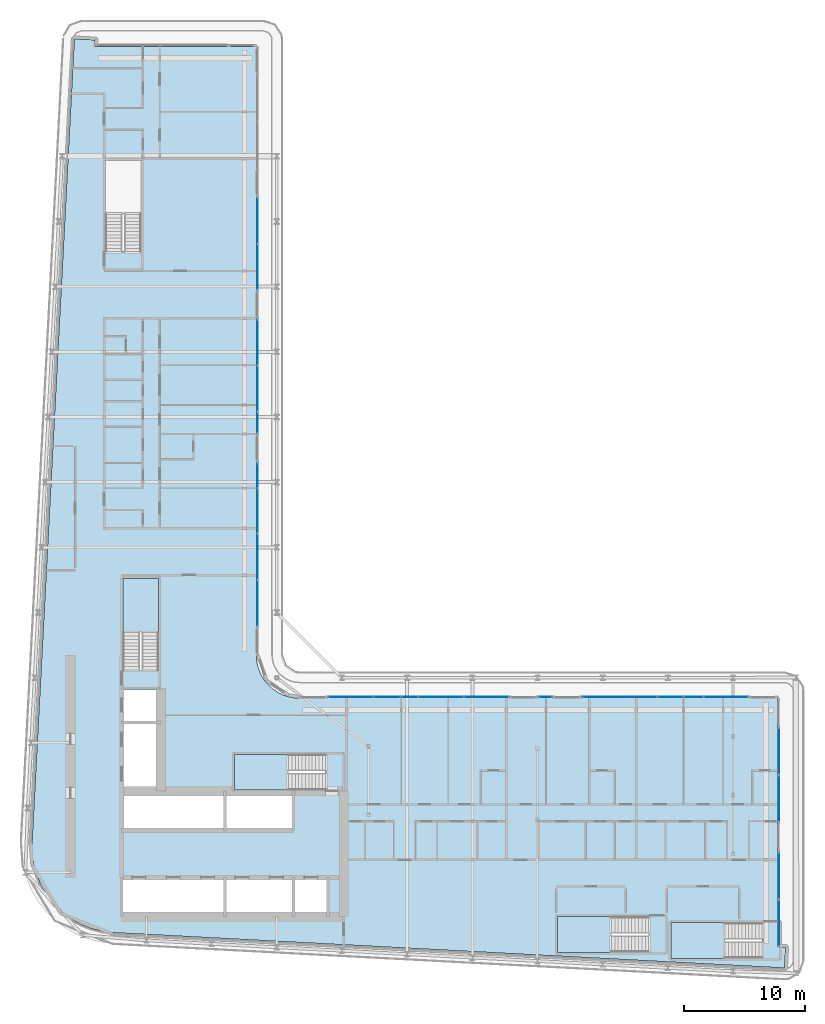
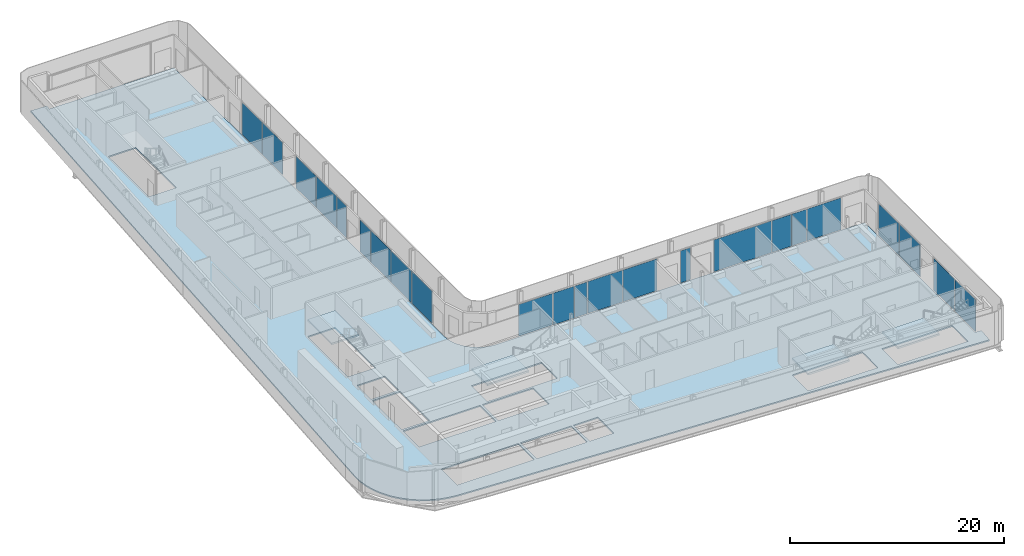
# One storey, part 9 of 24: 23 plates, 5 slabs, 16 elements without a shape of their own.
"""IFC4 building model written with IfcOpenShell, lengths in metres."""

from ifc_helpers import new_model, si_unit, direction, frame, origin, origin_2d, place, context, subcontext, project, spatial, polyline, rectangle, outline, extrude, material, layer, layer_set, type_object, element, aggregate, save


model = new_model("IFC4")

# Units and contexts
model_context = context("Model", 3, precision=1e-05, world=origin(), true_north=direction((0.0, 1.0)))
body_context = subcontext(model_context, "Body", "Model", "MODEL_VIEW")
ifc_project = project(units=[si_unit("LENGTHUNIT", "METRE"), si_unit("AREAUNIT", "SQUARE_METRE"), si_unit("VOLUMEUNIT", "CUBIC_METRE"), si_unit("PLANEANGLEUNIT", "RADIAN"), si_unit("MASSUNIT", "GRAM", prefix="KILO")], contexts=[model_context])

# Site, building, storey
site_placement = place(None, origin())
site = spatial("IfcSite", under=ifc_project, at=site_placement, CompositionType="ELEMENT")
building_placement = place(site_placement, origin())
building = spatial("IfcBuilding", under=site, at=building_placement, Name="Kheshtan School and Residences Tower", CompositionType="ELEMENT")
storey_placement = place(building_placement, frame((0.0, 0.0, 160.39990234375)))
storey = spatial("IfcBuildingStorey", under=building, at=storey_placement, Name="L37", CompositionType="ELEMENT", Elevation=160.39990234375)

# Curtain wall, plates
ifc_material_1 = material(Name="Clear low-e glass in thermally broken aluminium frame", Category="aluminium")
ifc_layer_1 = layer(ifc_material_1, 0.199951171875)
ifc_layer_set_1 = layer_set([ifc_layer_1], Name="Curtain wall CW-L")
curtain_wall_type = type_object("IfcCurtainWallType", Name="Curtain wall CW-L", PredefinedType="NOTDEFINED", material=ifc_layer_set_1)
curtain_wall_1_placement = place(storey_placement, origin())
curtain_wall_1 = element("IfcCurtainWall", 1, at=curtain_wall_1_placement, inside=storey, type_object=curtain_wall_type, Name="Curtain wall CWL8", PredefinedType="NOTDEFINED")
ifc_layer_2 = layer(ifc_material_1, 0.031982421875)
ifc_layer_set_2 = layer_set([ifc_layer_2], Name="CW-L glass panel")
plate_type = type_object("IfcPlateType", Name="CW-L glass panel", PredefinedType="CURTAIN_PANEL", material=ifc_layer_set_2)
plate_1_placement = place(storey_placement, frame((46.0, 83.467529296875, 0.000244140625), z_axis=(0.0, 0.0, 1.0), x_axis=(0.0, -1.0, 0.0)))
plate_1 = element("IfcPlate", 2, at=plate_1_placement, type_object=plate_type, Name="CWL8 panel 1.1", PredefinedType="CURTAIN_PANEL", context=body_context, shape_type="SweptSolid", body=[
    extrude(rectangle(XDim=3.757080078125, YDim=0.031982421875, at=origin_2d()), origin(), (0.0, 0.0, 1.0), 3.6298828125),
])
plate_2_placement = place(storey_placement, frame((46.0, 79.650390625, 0.000244140625), z_axis=(0.0, 0.0, 1.0), x_axis=(0.0, -1.0, 0.0)))
plate_2 = element("IfcPlate", 3, at=plate_2_placement, type_object=plate_type, Name="CWL8 panel 2.1", PredefinedType="CURTAIN_PANEL", context=body_context, shape_type="SweptSolid", body=[
    extrude(rectangle(XDim=3.757080078125, YDim=0.031982421875, at=origin_2d()), origin(), (0.0, 0.0, 1.0), 3.6298828125),
])
aggregate(curtain_wall_1, [plate_1, plate_2])

curtain_wall_2_placement = place(storey_placement, origin())
curtain_wall_2 = element("IfcCurtainWall", 4, at=curtain_wall_2_placement, inside=storey, type_object=curtain_wall_type, Name="Curtain wall CWL8", PredefinedType="NOTDEFINED")
plate_3_placement = place(storey_placement, frame((46.0, 73.37353515625, 0.000244140625), z_axis=(0.0, 0.0, 1.0), x_axis=(0.0, -1.0, 0.0)))
plate_3 = element("IfcPlate", 5, at=plate_3_placement, type_object=plate_type, Name="CWL8 panel 1.1", PredefinedType="CURTAIN_PANEL", context=body_context, shape_type="SweptSolid", body=[
    extrude(rectangle(XDim=3.757080078125, YDim=0.031982421875, at=origin_2d()), origin(), (0.0, 0.0, 1.0), 3.6298828125),
])
plate_4_placement = place(storey_placement, frame((46.0, 69.556396484375, 0.000244140625), z_axis=(0.0, 0.0, 1.0), x_axis=(0.0, -1.0, 0.0)))
plate_4 = element("IfcPlate", 6, at=plate_4_placement, type_object=plate_type, Name="CWL8 panel 2.1", PredefinedType="CURTAIN_PANEL", context=body_context, shape_type="SweptSolid", body=[
    extrude(rectangle(XDim=3.757080078125, YDim=0.031982421875, at=origin_2d()), origin(), (0.0, 0.0, 1.0), 3.6298828125),
])
aggregate(curtain_wall_2, [plate_3, plate_4])

# Curtain wall, plate
curtain_wall_3_placement = place(storey_placement, origin())
curtain_wall_3 = element("IfcCurtainWall", 7, at=curtain_wall_3_placement, inside=storey, type_object=curtain_wall_type, Name="Curtain wall CWL8e", PredefinedType="NOTDEFINED")
plate_5_placement = place(storey_placement, frame((46.0, 66.748046875, 0.000244140625), z_axis=(0.0, 0.0, 1.0), x_axis=(0.0, -1.0, 0.0)))
plate_5 = element("IfcPlate", 8, at=plate_5_placement, type_object=plate_type, Name="CWL8e panel 1.1", PredefinedType="CURTAIN_PANEL", context=body_context, shape_type="SweptSolid", body=[
    extrude(rectangle(XDim=1.739990234375, YDim=0.031982421875, at=origin_2d()), origin(), (0.0, 0.0, 1.0), 3.6298828125),
])
aggregate(curtain_wall_3, [plate_5])

# Curtain wall, plates
curtain_wall_4_placement = place(storey_placement, origin())
curtain_wall_4 = element("IfcCurtainWall", 9, at=curtain_wall_4_placement, inside=storey, type_object=curtain_wall_type, Name="Curtain wall CWL8m", PredefinedType="NOTDEFINED")
plate_6_placement = place(storey_placement, frame((46.0, 62.343994140625, 0.000244140625), z_axis=(0.0, 0.0, 1.0), x_axis=(0.0, -1.0, 0.0)))
plate_6 = element("IfcPlate", 10, at=plate_6_placement, type_object=plate_type, Name="CWL8m panel 1.1", PredefinedType="CURTAIN_PANEL", context=body_context, shape_type="SweptSolid", body=[
    extrude(rectangle(XDim=2.028076171875, YDim=0.031982421875, at=origin_2d()), origin(), (0.0, 0.0, 1.0), 3.6298828125),
])
plate_7_placement = place(storey_placement, frame((46.0, 59.427001953125, 0.000244140625), z_axis=(0.0, 0.0, 1.0), x_axis=(0.0, -1.0, 0.0)))
plate_7 = element("IfcPlate", 11, at=plate_7_placement, type_object=plate_type, Name="CWL8m panel 2.1", PredefinedType="CURTAIN_PANEL", context=body_context, shape_type="SweptSolid", body=[
    extrude(rectangle(XDim=3.68603515625, YDim=0.031982421875, at=origin_2d()), origin(), (0.0, 0.0, 1.0), 3.6298828125),
])
aggregate(curtain_wall_4, [plate_6, plate_7])

curtain_wall_5_placement = place(storey_placement, origin())
curtain_wall_5 = element("IfcCurtainWall", 12, at=curtain_wall_5_placement, inside=storey, type_object=curtain_wall_type, Name="Curtain wall CWL8", PredefinedType="NOTDEFINED")
plate_8_placement = place(storey_placement, frame((46.0, 55.615478515625, 0.000244140625), z_axis=(0.0, 0.0, 1.0), x_axis=(0.0, -1.0, 0.0)))
plate_8 = element("IfcPlate", 13, at=plate_8_placement, type_object=plate_type, Name="CWL8 panel 1.1", PredefinedType="CURTAIN_PANEL", context=body_context, shape_type="SweptSolid", body=[
    extrude(rectangle(XDim=3.81689453125, YDim=0.031982421875, at=origin_2d()), origin(), (0.0, 0.0, 1.0), 3.6298828125),
])
plate_9_placement = place(storey_placement, frame((46.0, 51.7685546875, 0.000244140625), z_axis=(0.0, 0.0, 1.0), x_axis=(0.0, -1.0, 0.0)))
plate_9 = element("IfcPlate", 14, at=plate_9_placement, type_object=plate_type, Name="CWL8 panel 2.1", PredefinedType="CURTAIN_PANEL", context=body_context, shape_type="SweptSolid", body=[
    extrude(rectangle(XDim=3.757080078125, YDim=0.031982421875, at=origin_2d()), origin(), (0.0, 0.0, 1.0), 3.6298828125),
])
aggregate(curtain_wall_5, [plate_8, plate_9])

curtain_wall_6_placement = place(storey_placement, origin())
curtain_wall_6 = element("IfcCurtainWall", 15, at=curtain_wall_6_placement, inside=storey, type_object=curtain_wall_type, Name="Curtain wall CWL12", PredefinedType="NOTDEFINED")
plate_10_placement = place(storey_placement, frame((53.724365234375, 44.0, 0.000244140625), z_axis=(0.0, 0.0, 1.0), x_axis=(1.0, 0.0, 0.0)))
plate_10 = element("IfcPlate", 16, at=plate_10_placement, type_object=plate_type, Name="CWL12 panel 1.1", PredefinedType="CURTAIN_PANEL", context=body_context, shape_type="SweptSolid", body=[
    extrude(rectangle(XDim=3.668701171875, YDim=0.031982421875, at=origin_2d()), origin(), (0.0, 0.0, 1.0), 3.6298828125),
])
plate_11_placement = place(storey_placement, frame((56.744384765625, 44.0, 0.000244140625), z_axis=(0.0, 0.0, 1.0), x_axis=(1.0, 0.0, 0.0)))
plate_11 = element("IfcPlate", 17, at=plate_11_placement, type_object=plate_type, Name="CWL12 panel 2.1", PredefinedType="CURTAIN_PANEL", context=body_context, shape_type="SweptSolid", body=[
    extrude(rectangle(XDim=2.251220703125, YDim=0.031982421875, at=origin_2d()), origin(), (0.0, 0.0, 1.0), 3.6298828125),
])
plate_12_placement = place(storey_placement, frame((58.608642578125, 44.0, 0.000244140625), z_axis=(0.0, 0.0, 1.0), x_axis=(1.0, 0.0, 0.0)))
plate_12 = element("IfcPlate", 18, at=plate_12_placement, type_object=plate_type, Name="CWL12 panel 3.1", PredefinedType="CURTAIN_PANEL", context=body_context, shape_type="SweptSolid", body=[
    extrude(rectangle(XDim=1.357421875, YDim=0.031982421875, at=origin_2d()), origin(), (0.0, 0.0, 1.0), 3.6298828125),
])
aggregate(curtain_wall_6, [plate_10, plate_11, plate_12])

curtain_wall_7_placement = place(storey_placement, origin())
curtain_wall_7 = element("IfcCurtainWall", 19, at=curtain_wall_7_placement, inside=storey, type_object=curtain_wall_type, Name="Curtain wall CWL12a", PredefinedType="NOTDEFINED")
plate_13_placement = place(storey_placement, frame((61.2119140625, 44.0, 0.000244140625), z_axis=(0.0, 0.0, 1.0), x_axis=(1.0, 0.0, 0.0)))
plate_13 = element("IfcPlate", 20, at=plate_13_placement, type_object=plate_type, Name="CWL12a panel 1.1", PredefinedType="CURTAIN_PANEL", context=body_context, shape_type="SweptSolid", body=[
    extrude(rectangle(XDim=3.728759765625, YDim=0.031982421875, at=origin_2d()), origin(), (0.0, 0.0, 1.0), 3.6298828125),
])
plate_14_placement = place(storey_placement, frame((64.970703125, 44.0, 0.000244140625), z_axis=(0.0, 0.0, 1.0), x_axis=(1.0, 0.0, 0.0)))
plate_14 = element("IfcPlate", 21, at=plate_14_placement, type_object=plate_type, Name="CWL12a panel 2.1", PredefinedType="CURTAIN_PANEL", context=body_context, shape_type="SweptSolid", body=[
    extrude(rectangle(XDim=3.668701171875, YDim=0.031982421875, at=origin_2d()), origin(), (0.0, 0.0, 1.0), 3.6298828125),
])
aggregate(curtain_wall_7, [plate_13, plate_14])

# Curtain wall, plate
curtain_wall_8_placement = place(storey_placement, origin())
curtain_wall_8 = element("IfcCurtainWall", 22, at=curtain_wall_8_placement, inside=storey, type_object=curtain_wall_type, Name="Curtain wall CWL12b", PredefinedType="NOTDEFINED")
plate_15_placement = place(storey_placement, frame((69.864990234375, 44.0, 0.000244140625), z_axis=(0.0, 0.0, 1.0), x_axis=(1.0, 0.0, 0.0)))
plate_15 = element("IfcPlate", 23, at=plate_15_placement, type_object=plate_type, Name="CWL12b panel 1.1", PredefinedType="CURTAIN_PANEL", context=body_context, shape_type="SweptSolid", body=[
    extrude(rectangle(XDim=1.080078125, YDim=0.031982421875, at=origin_2d()), origin(), (0.0, 0.0, 1.0), 3.6298828125),
])
aggregate(curtain_wall_8, [plate_15])

curtain_wall_9_placement = place(storey_placement, origin())
curtain_wall_9 = element("IfcCurtainWall", 24, at=curtain_wall_9_placement, inside=storey, type_object=curtain_wall_type, Name="Curtain wall CWL12u", PredefinedType="NOTDEFINED")
plate_16_placement = place(storey_placement, frame((76.023681640625, 44.0, 0.000244140625), z_axis=(0.0, 0.0, 1.0), x_axis=(1.0, 0.0, 0.0)))
plate_16 = element("IfcPlate", 25, at=plate_16_placement, type_object=plate_type, Name="CWL12u panel 1.1", PredefinedType="CURTAIN_PANEL", context=body_context, shape_type="SweptSolid", body=[
    extrude(rectangle(XDim=6.197509765625, YDim=0.031982421875, at=origin_2d()), origin(), (0.0, 0.0, 1.0), 3.6298828125),
])
aggregate(curtain_wall_9, [plate_16])

# Curtain wall, plates
curtain_wall_10_placement = place(storey_placement, origin())
curtain_wall_10 = element("IfcCurtainWall", 26, at=curtain_wall_10_placement, inside=storey, type_object=curtain_wall_type, Name="Curtain wall CWL12", PredefinedType="NOTDEFINED")
plate_17_placement = place(storey_placement, frame((80.226318359375, 44.0, 0.000244140625), z_axis=(0.0, 0.0, 1.0), x_axis=(1.0, 0.0, 0.0)))
plate_17 = element("IfcPlate", 27, at=plate_17_placement, type_object=plate_type, Name="CWL12 panel 1.1", PredefinedType="CURTAIN_PANEL", context=body_context, shape_type="SweptSolid", body=[
    extrude(rectangle(XDim=2.08740234375, YDim=0.031982421875, at=origin_2d()), origin(), (0.0, 0.0, 1.0), 3.6298828125),
])
plate_18_placement = place(storey_placement, frame((82.12060546875, 44.0, 0.000244140625), z_axis=(0.0, 0.0, 1.0), x_axis=(1.0, 0.0, 0.0)))
plate_18 = element("IfcPlate", 28, at=plate_18_placement, type_object=plate_type, Name="CWL12 panel 2.1", PredefinedType="CURTAIN_PANEL", context=body_context, shape_type="SweptSolid", body=[
    extrude(rectangle(XDim=1.581298828125, YDim=0.031982421875, at=origin_2d()), origin(), (0.0, 0.0, 1.0), 3.6298828125),
])
plate_19_placement = place(storey_placement, frame((84.8056640625, 44.0, 0.000244140625), z_axis=(0.0, 0.0, 1.0), x_axis=(1.0, 0.0, 0.0)))
plate_19 = element("IfcPlate", 29, at=plate_19_placement, type_object=plate_type, Name="CWL12 panel 3.1", PredefinedType="CURTAIN_PANEL", context=body_context, shape_type="SweptSolid", body=[
    extrude(rectangle(XDim=3.668701171875, YDim=0.031982421875, at=origin_2d()), origin(), (0.0, 0.0, 1.0), 3.6298828125),
])
aggregate(curtain_wall_10, [plate_17, plate_18, plate_19])

curtain_wall_11_placement = place(storey_placement, origin())
curtain_wall_11 = element("IfcCurtainWall", 30, at=curtain_wall_11_placement, inside=storey, type_object=curtain_wall_type, Name="Curtain wall CWL13", PredefinedType="NOTDEFINED")
plate_20_placement = place(storey_placement, frame((89.199951171875, 39.5078125, 0.000244140625), z_axis=(0.0, 0.0, 1.0), x_axis=(0.0, -1.0, 0.0)))
plate_20 = element("IfcPlate", 31, at=plate_20_placement, type_object=plate_type, Name="CWL13 panel 1.1", PredefinedType="CURTAIN_PANEL", context=body_context, shape_type="SweptSolid", body=[
    extrude(rectangle(XDim=3.8642578125, YDim=0.031982421875, at=origin_2d()), origin(), (0.0, 0.0, 1.0), 3.6298828125),
])
plate_21_placement = place(storey_placement, frame((89.199951171875, 35.583740234375, 0.000244140625), z_axis=(0.0, 0.0, 1.0), x_axis=(0.0, -1.0, 0.0)))
plate_21 = element("IfcPlate", 32, at=plate_21_placement, type_object=plate_type, Name="CWL13 panel 2.1", PredefinedType="CURTAIN_PANEL", context=body_context, shape_type="SweptSolid", body=[
    extrude(rectangle(XDim=3.8642578125, YDim=0.031982421875, at=origin_2d()), origin(), (0.0, 0.0, 1.0), 3.6298828125),
])
aggregate(curtain_wall_11, [plate_20, plate_21])

curtain_wall_12_placement = place(storey_placement, origin())
curtain_wall_12 = element("IfcCurtainWall", 33, at=curtain_wall_12_placement, inside=storey, type_object=curtain_wall_type, Name="Curtain wall CWL13", PredefinedType="NOTDEFINED")
plate_22_placement = place(storey_placement, frame((89.199951171875, 29.199462890625, 0.000244140625), z_axis=(0.0, 0.0, 1.0), x_axis=(0.0, -1.0, 0.0)))
plate_22 = element("IfcPlate", 34, at=plate_22_placement, type_object=plate_type, Name="CWL13 panel 1.1", PredefinedType="CURTAIN_PANEL", context=body_context, shape_type="SweptSolid", body=[
    extrude(rectangle(XDim=3.8642578125, YDim=0.031982421875, at=origin_2d()), origin(), (0.0, 0.0, 1.0), 3.6298828125),
])
plate_23_placement = place(storey_placement, frame((89.199951171875, 25.275146484375, 0.000244140625), z_axis=(0.0, 0.0, 1.0), x_axis=(0.0, -1.0, 0.0)))
plate_23 = element("IfcPlate", 35, at=plate_23_placement, type_object=plate_type, Name="CWL13 panel 2.1", PredefinedType="CURTAIN_PANEL", context=body_context, shape_type="SweptSolid", body=[
    extrude(rectangle(XDim=3.8642578125, YDim=0.031982421875, at=origin_2d()), origin(), (0.0, 0.0, 1.0), 3.6298828125),
])
aggregate(curtain_wall_12, [plate_22, plate_23])

# Slab
ifc_material_2 = material(Name="Concrete C40/50", Category="concrete")
ifc_layer_3 = layer(ifc_material_2, 0.14990234375)
ifc_layer_set_3 = layer_set([ifc_layer_3], Name="Floor slab 150 Concrete C40/50")
slab_type_1 = type_object("IfcSlabType", Name="Floor slab 150 Concrete C40/50", PredefinedType="FLOOR", material=ifc_layer_set_3)
slab_1_placement = place(storey_placement, frame((0.0, 0.0, -0.14990234375)))
element("IfcSlab", 36, at=slab_1_placement, inside=storey, type_object=slab_type_1, Name="Floor slab L37", PredefinedType="FLOOR", context=body_context, shape_type="SweptSolid", body=[
    extrude(outline(polyline([(27.718017578125, 29.200927734375), (27.466064453125, 30.093017578125), (27.466064453125, 30.093994140625), (27.3330078125, 31.013916015625), (27.320068359375, 31.965087890625), (27.320068359375, 31.970947265625), (30.822021484375, 98.5009765625), (30.822998046875, 98.508056640625), (30.825927734375, 98.531005859375), (30.825927734375, 98.531982421875), (30.826904296875, 98.531982421875), (31.422119140625, 98.5), (31.423095703125, 98.5), (31.423095703125, 98.4990234375), (31.423095703125, 98.4951171875), (31.423095703125, 98.493896484375), (31.424072265625, 98.493896484375), (31.424072265625, 98.492919921875), (31.425048828125, 98.492919921875), (31.426025390625, 98.492919921875), (31.426025390625, 98.493896484375), (31.427978515625, 98.49609375), (31.428955078125, 98.4970703125), (31.429931640625, 98.498046875), (31.430908203125, 98.498046875), (31.430908203125, 98.4990234375), (31.431884765625, 98.4990234375), (31.431884765625, 98.5), (31.43505859375, 98.5009765625), (31.43603515625, 98.501953125), (31.43896484375, 98.501953125), (31.43994140625, 98.501953125), (31.43994140625, 98.5029296875), (31.44091796875, 98.5029296875), (31.446044921875, 98.5029296875), (32.5009765625, 98.447021484375), (32.50390625, 98.447021484375), (32.5048828125, 98.447021484375), (32.5048828125, 98.446044921875), (32.506103515625, 98.446044921875), (32.510009765625, 98.446044921875), (32.510009765625, 98.445068359375), (32.510986328125, 98.445068359375), (32.510986328125, 98.444091796875), (32.511962890625, 98.444091796875), (32.511962890625, 98.443115234375), (32.512939453125, 98.443115234375), (32.513916015625, 98.443115234375), (32.513916015625, 98.44189453125), (32.514892578125, 98.44189453125), (32.51611328125, 98.44189453125), (32.51904296875, 98.43896484375), (32.51904296875, 98.43798828125), (32.51904296875, 98.43701171875), (32.52001953125, 98.43701171875), (32.52001953125, 98.43603515625), (32.52099609375, 98.43603515625), (32.52099609375, 98.43408203125), (32.52099609375, 98.43310546875), (32.52197265625, 98.43310546875), (32.52197265625, 98.431884765625), (32.52294921875, 98.431884765625), (32.52294921875, 98.430908203125), (32.52294921875, 98.428955078125), (32.52294921875, 98.427978515625), (32.52392578125, 98.427978515625), (32.52392578125, 98.427001953125), (32.52392578125, 98.422119140625), (32.4970703125, 97.9208984375), (32.4970703125, 97.91796875), (32.4970703125, 97.9169921875), (32.49609375, 97.9169921875), (32.49609375, 97.916015625), (32.49609375, 97.912109375), (32.4951171875, 97.910888671875), (32.4951171875, 97.909912109375), (32.493896484375, 97.909912109375), (32.493896484375, 97.908935546875), (32.492919921875, 97.908935546875), (32.492919921875, 97.907958984375), (32.489013671875, 97.904052734375), (32.488037109375, 97.904052734375), (32.488037109375, 97.903076171875), (32.488037109375, 97.902099609375), (32.488037109375, 97.90087890625), (32.489013671875, 97.90087890625), (32.489013671875, 97.89990234375), (32.489990234375, 97.89990234375), (45.85498046875, 97.89990234375), (45.864990234375, 97.89794921875), (45.865966796875, 97.89794921875), (45.868896484375, 97.89599609375), (45.8740234375, 97.89404296875), (45.8779296875, 97.89208984375), (45.881103515625, 97.889892578125), (45.881103515625, 97.888916015625), (45.882080078125, 97.888916015625), (45.882080078125, 97.887939453125), (45.883056640625, 97.887939453125), (45.884033203125, 97.885009765625), (45.885009765625, 97.885009765625), (45.885009765625, 97.884033203125), (45.887939453125, 97.883056640625), (45.887939453125, 97.882080078125), (45.888916015625, 97.882080078125), (45.888916015625, 97.881103515625), (45.889892578125, 97.881103515625), (45.89208984375, 97.8779296875), (45.89404296875, 97.8740234375), (45.89599609375, 97.868896484375), (45.89794921875, 97.865966796875), (45.89794921875, 97.864990234375), (45.89990234375, 97.85498046875), (45.89990234375, 47.429931640625), (45.927001953125, 47.030029296875), (46.01806640625, 46.570068359375), (46.01806640625, 46.569091796875), (46.169921875, 46.1201171875), (46.37890625, 45.697021484375), (46.638916015625, 45.30810546875), (46.949951171875, 44.950927734375), (46.950927734375, 44.949951171875), (47.30810546875, 44.638916015625), (47.697021484375, 44.37890625), (48.1201171875, 44.169921875), (48.569091796875, 44.01806640625), (48.570068359375, 44.01806640625), (49.030029296875, 43.927001953125), (49.429931640625, 43.89990234375), (89.054931640625, 43.89990234375), (89.06494140625, 43.89794921875), (89.06591796875, 43.89794921875), (89.069091796875, 43.89599609375), (89.073974609375, 43.89404296875), (89.077880859375, 43.89208984375), (89.0810546875, 43.889892578125), (89.0810546875, 43.888916015625), (89.08203125, 43.888916015625), (89.08203125, 43.887939453125), (89.0830078125, 43.887939453125), (89.083984375, 43.885009765625), (89.0849609375, 43.885009765625), (89.0849609375, 43.884033203125), (89.087890625, 43.883056640625), (89.087890625, 43.882080078125), (89.089111328125, 43.882080078125), (89.089111328125, 43.881103515625), (89.090087890625, 43.881103515625), (89.092041015625, 43.8779296875), (89.093994140625, 43.8740234375), (89.095947265625, 43.868896484375), (89.097900390625, 43.865966796875), (89.097900390625, 43.864990234375), (89.10009765625, 43.85498046875), (89.10009765625, 23.278076171875), (89.10009765625, 23.277099609375), (89.10107421875, 23.277099609375), (89.10107421875, 23.27587890625), (89.10205078125, 23.27587890625), (89.10302734375, 23.27587890625), (89.10302734375, 23.277099609375), (89.10498046875, 23.279052734375), (89.10595703125, 23.280029296875), (89.10693359375, 23.281005859375), (89.10791015625, 23.281005859375), (89.10791015625, 23.281982421875), (89.10888671875, 23.281982421875), (89.10888671875, 23.282958984375), (89.110107421875, 23.282958984375), (89.112060546875, 23.283935546875), (89.113037109375, 23.284912109375), (89.115966796875, 23.284912109375), (89.116943359375, 23.284912109375), (89.116943359375, 23.285888671875), (89.117919921875, 23.285888671875), (89.123046875, 23.285888671875), (89.738037109375, 23.2529296875), (89.740966796875, 23.2529296875), (89.741943359375, 23.2529296875), (89.741943359375, 23.251953125), (89.742919921875, 23.251953125), (89.7470703125, 23.251953125), (89.7470703125, 23.2509765625), (89.748046875, 23.2509765625), (89.748046875, 23.25), (89.7490234375, 23.25), (89.7490234375, 23.2490234375), (89.75, 23.2490234375), (89.7509765625, 23.2490234375), (89.7509765625, 23.248046875), (89.751953125, 23.248046875), (89.7529296875, 23.248046875), (89.7529296875, 23.2470703125), (89.7548828125, 23.2451171875), (89.756103515625, 23.2451171875), (89.756103515625, 23.243896484375), (89.756103515625, 23.242919921875), (89.757080078125, 23.242919921875), (89.757080078125, 23.241943359375), (89.758056640625, 23.241943359375), (89.758056640625, 23.239990234375), (89.758056640625, 23.239013671875), (89.759033203125, 23.239013671875), (89.759033203125, 23.238037109375), (89.760009765625, 23.238037109375), (89.760009765625, 23.237060546875), (89.760009765625, 23.235107421875), (89.760009765625, 23.23388671875), (89.760986328125, 23.23388671875), (89.760986328125, 23.23291015625), (89.760986328125, 23.22802734375), (89.705078125, 22.169921875), (89.705078125, 22.1669921875), (89.705078125, 22.166015625), (89.7041015625, 22.166015625), (89.7041015625, 22.1650390625), (89.7041015625, 22.160888671875), (89.702880859375, 22.159912109375), (89.702880859375, 22.158935546875), (89.701904296875, 22.158935546875), (89.701904296875, 22.157958984375), (89.700927734375, 22.157958984375), (89.700927734375, 22.156982421875), (89.699951171875, 22.156005859375), (89.697998046875, 22.154052734375), (89.697021484375, 22.153076171875), (89.696044921875, 22.153076171875), (89.696044921875, 22.152099609375), (89.696044921875, 22.15087890625), (89.696044921875, 22.14990234375), (89.697021484375, 22.14990234375), (89.697021484375, 22.14892578125), (89.697998046875, 22.14892578125), (89.698974609375, 22.14892578125), (89.699951171875, 22.14892578125), (89.699951171875, 22.14794921875), (89.66796875, 21.553955078125), (89.66796875, 21.552978515625), (89.6669921875, 21.552978515625), (89.64306640625, 21.552001953125), (89.637939453125, 21.552001953125), (34.056884765625, 24.47802734375), (33.114990234375, 24.590087890625), (32.215087890625, 24.819091796875), (32.214111328125, 24.819091796875), (31.35205078125, 25.1630859375), (30.541015625, 25.616943359375), (29.799072265625, 26.1708984375), (29.799072265625, 26.172119140625), (29.798095703125, 26.172119140625), (29.134033203125, 26.820068359375), (29.134033203125, 26.821044921875), (29.133056640625, 26.821044921875), (28.55908203125, 27.550048828125), (28.0849609375, 28.345947265625), (27.718017578125, 29.200927734375)]), holes=[polyline([(89.10009765625, 22.155029296875), (89.10009765625, 22.15087890625), (89.10009765625, 22.14990234375), (89.10107421875, 22.14990234375), (89.10107421875, 22.14892578125), (89.10205078125, 22.14892578125), (89.10595703125, 22.14892578125), (89.10693359375, 22.14892578125), (89.10693359375, 22.14990234375), (89.10791015625, 22.14990234375), (89.10791015625, 22.15087890625), (89.10791015625, 22.152099609375), (89.10693359375, 22.152099609375), (89.10595703125, 22.153076171875), (89.10498046875, 22.154052734375), (89.10400390625, 22.155029296875), (89.10302734375, 22.156005859375), (89.10302734375, 22.156982421875), (89.10205078125, 22.156982421875), (89.10107421875, 22.156982421875), (89.10107421875, 22.156005859375), (89.10009765625, 22.156005859375), (89.10009765625, 22.155029296875)]), polyline([(31.423095703125, 97.906005859375), (31.423095703125, 97.902099609375), (31.423095703125, 97.90087890625), (31.424072265625, 97.90087890625), (31.424072265625, 97.89990234375), (31.425048828125, 97.89990234375), (31.428955078125, 97.89990234375), (31.429931640625, 97.89990234375), (31.429931640625, 97.90087890625), (31.430908203125, 97.90087890625), (31.430908203125, 97.902099609375), (31.430908203125, 97.903076171875), (31.429931640625, 97.903076171875), (31.428955078125, 97.904052734375), (31.427978515625, 97.905029296875), (31.427001953125, 97.906005859375), (31.426025390625, 97.906982421875), (31.426025390625, 97.907958984375), (31.425048828125, 97.907958984375), (31.424072265625, 97.907958984375), (31.424072265625, 97.906982421875), (31.423095703125, 97.906982421875), (31.423095703125, 97.906005859375)]), polyline([(34.875, 28.925048828125), (34.875, 25.925048828125), (43.175048828125, 25.925048828125), (43.175048828125, 28.925048828125), (34.875, 28.925048828125)]), polyline([(43.175048828125, 36.074951171875), (34.875, 36.074951171875), (34.875, 33.074951171875), (43.175048828125, 33.074951171875), (43.175048828125, 36.074951171875)]), polyline([(34.875, 41.77490234375), (34.875, 36.324951171875), (37.875, 36.324951171875), (37.875, 41.77490234375), (34.875, 41.77490234375)]), polyline([(34.875, 42.02490234375), (37.875, 42.02490234375), (37.875, 44.625), (34.875, 44.625), (34.875, 42.02490234375)]), polyline([(37.800048828125, 46.25), (37.800048828125, 53.81005859375), (34.85009765625, 53.81005859375), (34.85009765625, 46.260009765625), (36.25, 46.260009765625), (36.25, 46.25), (37.800048828125, 46.25)]), polyline([(33.39990234375, 88.4599609375), (33.39990234375, 80.909912109375), (34.800048828125, 80.909912109375), (34.800048828125, 80.89990234375), (36.35009765625, 80.89990234375), (36.35009765625, 88.4599609375), (33.39990234375, 88.4599609375)]), polyline([(87.81005859375, 22.35009765625), (87.81005859375, 23.75), (87.820068359375, 23.75), (87.820068359375, 25.300048828125), (80.260009765625, 25.300048828125), (80.260009765625, 22.35009765625), (87.81005859375, 22.35009765625)]), polyline([(70.85009765625, 22.85009765625), (78.39990234375, 22.85009765625), (78.39990234375, 24.25), (78.409912109375, 24.25), (78.409912109375, 25.800048828125), (70.85009765625, 25.800048828125), (70.85009765625, 22.85009765625)]), polyline([(43.425048828125, 25.925048828125), (48.875, 25.925048828125), (48.875, 28.925048828125), (43.425048828125, 28.925048828125), (43.425048828125, 25.925048828125)]), polyline([(49.125, 25.925048828125), (51.72509765625, 25.925048828125), (51.72509765625, 28.925048828125), (49.125, 28.925048828125), (49.125, 25.925048828125)]), polyline([(43.425048828125, 33.074951171875), (48.875, 33.074951171875), (48.875, 36.074951171875), (43.425048828125, 36.074951171875), (43.425048828125, 33.074951171875)]), polyline([(51.64990234375, 39.25), (44.090087890625, 39.25), (44.090087890625, 36.300048828125), (51.639892578125, 36.300048828125), (51.639892578125, 37.699951171875), (51.64990234375, 37.699951171875), (51.64990234375, 39.25)])]), origin(), (0.0, 0.0, 1.0), 0.14990234375),
])

# Stair, slab
stair_type = type_object("IfcStairType", Name="Exit stair, half-turn", PredefinedType="HALF_TURN_STAIR", material=ifc_material_2)
stair_1_placement = place(storey_placement, origin())
stair_1 = element("IfcStair", 37, at=stair_1_placement, inside=storey, type_object=stair_type, Name="L37 Protected Exit Stair ST1", PredefinedType="HALF_TURN_STAIR")
ifc_layer_4 = layer(ifc_material_2, 0.199951171875)
ifc_layer_set_4 = layer_set([ifc_layer_4], Name="Stair landing 200 Concrete C40/50")
slab_type_2 = type_object("IfcSlabType", Name="Stair landing 200 Concrete C40/50", PredefinedType="LANDING", material=ifc_layer_set_4)
slab_2_placement = place(storey_placement, frame((0.0, 0.0, 1.75)))
slab_2 = element("IfcSlab", 38, at=slab_2_placement, type_object=slab_type_2, Name="ST1 landing 1", PredefinedType="LANDING", context=body_context, shape_type="SweptSolid", body=[
    extrude(outline(polyline([(48.570068359375, 39.25), (44.090087890625, 39.25), (44.090087890625, 36.300048828125), (48.570068359375, 36.300048828125), (48.570068359375, 39.25)])), origin(), (0.0, 0.0, 1.0), 0.2001953125),
])
aggregate(stair_1, [slab_2])

stair_2_placement = place(storey_placement, origin())
stair_2 = element("IfcStair", 39, at=stair_2_placement, inside=storey, type_object=stair_type, Name="L37 Protected Exit Stair ST2", PredefinedType="HALF_TURN_STAIR")
slab_3_placement = place(storey_placement, frame((0.0, 0.0, 1.75)))
slab_3 = element("IfcSlab", 40, at=slab_3_placement, type_object=slab_type_2, Name="ST2 landing 1", PredefinedType="LANDING", context=body_context, shape_type="SweptSolid", body=[
    extrude(outline(polyline([(37.800048828125, 49.330078125), (37.800048828125, 53.81005859375), (34.85009765625, 53.81005859375), (34.85009765625, 49.330078125), (37.800048828125, 49.330078125)])), origin(), (0.0, 0.0, 1.0), 0.2001953125),
])
aggregate(stair_2, [slab_3])

stair_3_placement = place(storey_placement, origin())
stair_3 = element("IfcStair", 41, at=stair_3_placement, inside=storey, type_object=stair_type, Name="L37 Protected Exit Stair ST4", PredefinedType="HALF_TURN_STAIR")
slab_4_placement = place(storey_placement, frame((0.0, 0.0, 1.75)))
slab_4 = element("IfcSlab", 42, at=slab_4_placement, type_object=slab_type_2, Name="ST4 landing 1", PredefinedType="LANDING", context=body_context, shape_type="SweptSolid", body=[
    extrude(outline(polyline([(84.739990234375, 25.300048828125), (80.260009765625, 25.300048828125), (80.260009765625, 22.35009765625), (84.739990234375, 22.35009765625), (84.739990234375, 25.300048828125)])), origin(), (0.0, 0.0, 1.0), 0.2001953125),
])
aggregate(stair_3, [slab_4])

stair_4_placement = place(storey_placement, origin())
stair_4 = element("IfcStair", 43, at=stair_4_placement, inside=storey, type_object=stair_type, Name="L37 Protected Exit Stair ST5", PredefinedType="HALF_TURN_STAIR")
slab_5_placement = place(storey_placement, frame((0.0, 0.0, 1.75)))
slab_5 = element("IfcSlab", 44, at=slab_5_placement, type_object=slab_type_2, Name="ST5 landing 1", PredefinedType="LANDING", context=body_context, shape_type="SweptSolid", body=[
    extrude(outline(polyline([(75.330078125, 25.800048828125), (70.85009765625, 25.800048828125), (70.85009765625, 22.85009765625), (75.330078125, 22.85009765625), (75.330078125, 25.800048828125)])), origin(), (0.0, 0.0, 1.0), 0.2001953125),
])
aggregate(stair_4, [slab_5])

save(model, "model.ifc")
